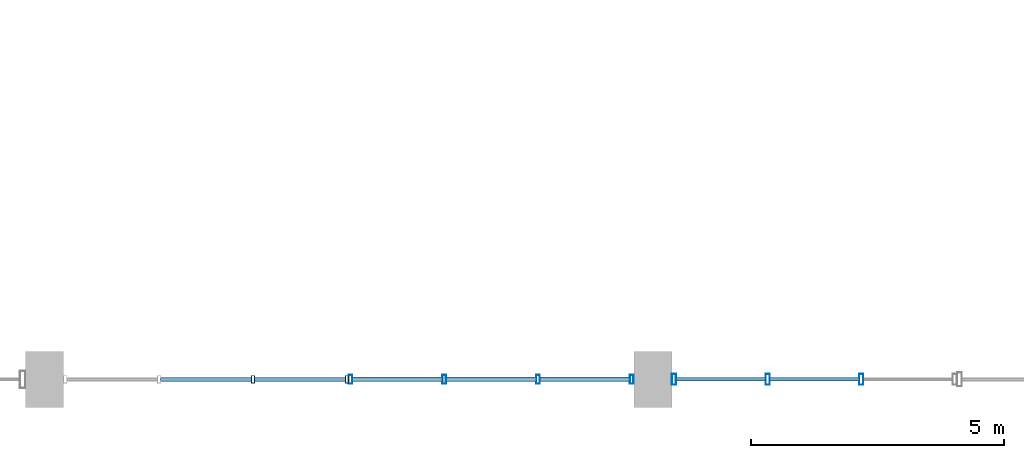
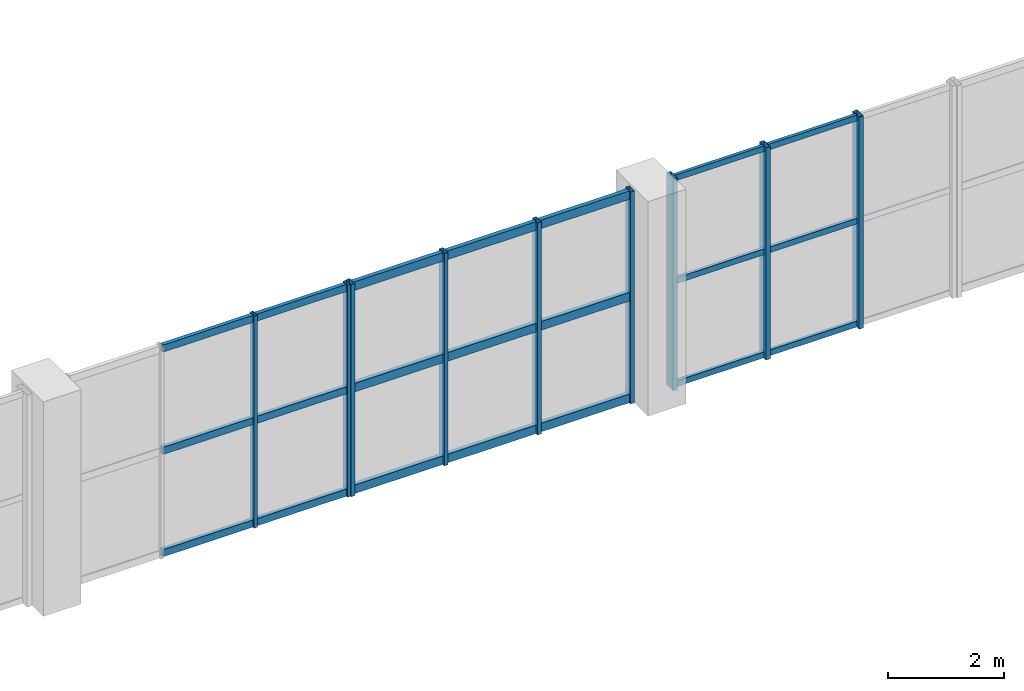
# One storey, part 41 of 80: 30 members, 3 elements without a shape of their own.
"""IFC4 building model written with IfcOpenShell, lengths in metres."""

from ifc_helpers import new_model, si_unit, direction, frame, origin, origin_2d, place, context, subcontext, project, spatial, hollow_rectangle, extrude, material, layer, layer_set, material_profile, profile_set, type_object, element, aggregate, save


model = new_model("IFC4")

# Units and contexts
model_context = context("Model", 3, precision=1e-05, world=origin(), true_north=direction((0.0, 1.0)))
body_context = subcontext(model_context, "Body", "Model", "MODEL_VIEW")
ifc_project = project(units=[si_unit("LENGTHUNIT", "METRE"), si_unit("AREAUNIT", "SQUARE_METRE"), si_unit("VOLUMEUNIT", "CUBIC_METRE"), si_unit("PLANEANGLEUNIT", "RADIAN"), si_unit("MASSUNIT", "GRAM", prefix="KILO"), si_unit("POWERUNIT", "WATT"), si_unit("THERMODYNAMICTEMPERATUREUNIT", "KELVIN")], contexts=[model_context])

# Site, building, storey
site_placement = place(None, origin())
site = spatial("IfcSite", under=ifc_project, at=site_placement, CompositionType="ELEMENT")
building_placement = place(site_placement, origin())
building = spatial("IfcBuilding", under=site, at=building_placement, Name="Kelmbourne Parkland Aquatics Centre", CompositionType="ELEMENT")
storey_placement = place(building_placement, frame((0.0, 0.0, 10.199951171875)))
storey = spatial("IfcBuildingStorey", under=building, at=storey_placement, Name="L02", CompositionType="ELEMENT", Elevation=10.199951171875)

# Curtain wall, members
ifc_material = material(Name="Thermally broken anodised aluminium framing", Category="aluminium")
ifc_layer_1 = layer(ifc_material, 0.179931640625)
ifc_layer_set_1 = layer_set([ifc_layer_1], Name="Thermally broken anodised aluminium framing")
curtain_wall_type_1 = type_object("IfcCurtainWallType", Name="CW-19", PredefinedType="NOTDEFINED", material=ifc_layer_set_1)
curtain_wall_1_placement = place(storey_placement, origin())
curtain_wall_1 = element("IfcCurtainWall", 1, at=curtain_wall_1_placement, inside=storey, type_object=curtain_wall_type_1, Name="Wave-hall clerestory curtain wall CW-L02-115", PredefinedType="NOTDEFINED")
ifc_material_profile_1 = material_profile(ifc_material, hollow_rectangle(XDim=0.06494140625, YDim=0.14990234375, WallThickness=0.00390625, at=origin_2d()), Name="CW-M 65x150")
ifc_profile_set_1 = profile_set([ifc_material_profile_1], Name="Thermally broken anodised aluminium framing")
member_type_1 = type_object("IfcMemberType", Name="MB-MUL-1", PredefinedType="MULLION", material=ifc_profile_set_1)
member_1_placement = place(storey_placement, frame((144.11474609375, 0.800048828125, 0.0), z_axis=(0.0, 0.0, 1.0), x_axis=(1.0, 0.0, 0.0)))
member_1 = element("IfcMember", 2, at=member_1_placement, type_object=member_type_1, Name="CW-L02-115 mullion 2", PredefinedType="MULLION", context=body_context, shape_type="SweptSolid", body=[
    extrude(hollow_rectangle(XDim=0.06494140625, YDim=0.14990234375, WallThickness=0.00390625, at=origin_2d()), origin(), (0.0, 0.0, 1.0), 4.449951171875),
])
member_2_placement = place(storey_placement, frame((145.967529296875, 0.800048828125, 0.0), z_axis=(0.0, 0.0, 1.0), x_axis=(1.0, 0.0, 0.0)))
member_2 = element("IfcMember", 3, at=member_2_placement, type_object=member_type_1, Name="CW-L02-115 mullion 3", PredefinedType="MULLION", context=body_context, shape_type="SweptSolid", body=[
    extrude(hollow_rectangle(XDim=0.06494140625, YDim=0.14990234375, WallThickness=0.00390625, at=origin_2d()), origin(), (0.0, 0.0, 1.0), 4.449951171875),
])

ifc_layer_2 = layer(ifc_material, 0.179931640625)
ifc_layer_set_2 = layer_set([ifc_layer_2], Name="Thermally broken anodised aluminium framing")
curtain_wall_type_2 = type_object("IfcCurtainWallType", Name="CW-20", PredefinedType="NOTDEFINED", material=ifc_layer_set_2)
curtain_wall_2_placement = place(storey_placement, origin())
curtain_wall_2 = element("IfcCurtainWall", 4, at=curtain_wall_2_placement, inside=storey, type_object=curtain_wall_type_2, Name="Wave-hall clerestory curtain wall CW-L02-116", PredefinedType="NOTDEFINED")
ifc_material_profile_2 = material_profile(ifc_material, hollow_rectangle(XDim=0.074951171875, YDim=0.179931640625, WallThickness=0.00439453125, at=origin_2d()), Name="CW-M 75x180")
ifc_profile_set_2 = profile_set([ifc_material_profile_2], Name="Thermally broken anodised aluminium framing")
member_type_2 = type_object("IfcMemberType", Name="MB-MUL-2", PredefinedType="MULLION", material=ifc_profile_set_2)
member_3_placement = place(storey_placement, frame((146.03759765625, 0.800048828125, 0.0), z_axis=(0.0, 0.0, 1.0), x_axis=(1.0, 0.0, 0.0)))
member_3 = element("IfcMember", 5, at=member_3_placement, type_object=member_type_2, Name="CW-L02-116 mullion 0", PredefinedType="MULLION", context=body_context, shape_type="SweptSolid", body=[
    extrude(hollow_rectangle(XDim=0.074951171875, YDim=0.179931640625, WallThickness=0.00439453125, at=origin_2d()), origin(), (0.0, 0.0, 1.0), 4.449951171875),
])
member_4_placement = place(storey_placement, frame((147.88671875, 0.800048828125, 0.0), z_axis=(0.0, 0.0, 1.0), x_axis=(1.0, 0.0, 0.0)))
member_4 = element("IfcMember", 6, at=member_4_placement, type_object=member_type_2, Name="CW-L02-116 mullion 1", PredefinedType="MULLION", context=body_context, shape_type="SweptSolid", body=[
    extrude(hollow_rectangle(XDim=0.074951171875, YDim=0.179931640625, WallThickness=0.00439453125, at=origin_2d()), origin(), (0.0, 0.0, 1.0), 4.449951171875),
])
member_5_placement = place(storey_placement, frame((149.736083984375, 0.800048828125, 0.0), z_axis=(0.0, 0.0, 1.0), x_axis=(1.0, 0.0, 0.0)))
member_5 = element("IfcMember", 7, at=member_5_placement, type_object=member_type_2, Name="CW-L02-116 mullion 2", PredefinedType="MULLION", context=body_context, shape_type="SweptSolid", body=[
    extrude(hollow_rectangle(XDim=0.074951171875, YDim=0.179931640625, WallThickness=0.00439453125, at=origin_2d()), origin(), (0.0, 0.0, 1.0), 4.449951171875),
])
member_6_placement = place(storey_placement, frame((151.58544921875, 0.800048828125, 0.0), z_axis=(0.0, 0.0, 1.0), x_axis=(1.0, 0.0, 0.0)))
member_6 = element("IfcMember", 8, at=member_6_placement, type_object=member_type_2, Name="CW-L02-116 mullion 3", PredefinedType="MULLION", context=body_context, shape_type="SweptSolid", body=[
    extrude(hollow_rectangle(XDim=0.074951171875, YDim=0.179931640625, WallThickness=0.00439453125, at=origin_2d()), origin(), (0.0, 0.0, 1.0), 4.449951171875),
])

ifc_layer_3 = layer(ifc_material, 0.179931640625)
ifc_layer_set_3 = layer_set([ifc_layer_3], Name="Thermally broken anodised aluminium framing")
curtain_wall_type_3 = type_object("IfcCurtainWallType", Name="CW-21", PredefinedType="NOTDEFINED", material=ifc_layer_set_3)
curtain_wall_3_placement = place(storey_placement, origin())
curtain_wall_3 = element("IfcCurtainWall", 9, at=curtain_wall_3_placement, inside=storey, type_object=curtain_wall_type_3, Name="Wave-hall clerestory curtain wall CW-L02-117", PredefinedType="NOTDEFINED")
ifc_material_profile_3 = material_profile(ifc_material, hollow_rectangle(XDim=0.0849609375, YDim=0.219970703125, WallThickness=0.0048828125, at=origin_2d()), Name="CW-M 85x220")
ifc_profile_set_3 = profile_set([ifc_material_profile_3], Name="Thermally broken anodised aluminium framing")
member_type_3 = type_object("IfcMemberType", Name="MB-MUL-3", PredefinedType="MULLION", material=ifc_profile_set_3)
member_7_placement = place(storey_placement, frame((152.41943359375, 0.800048828125, 0.0), z_axis=(0.0, 0.0, 1.0), x_axis=(1.0, 0.0, 0.0)))
member_7 = element("IfcMember", 10, at=member_7_placement, type_object=member_type_3, Name="CW-L02-117 mullion 0", PredefinedType="MULLION", context=body_context, shape_type="SweptSolid", body=[
    extrude(hollow_rectangle(XDim=0.0849609375, YDim=0.219970703125, WallThickness=0.0048828125, at=origin_2d()), origin(), (0.0, 0.0, 1.0), 4.449951171875),
])
member_8_placement = place(storey_placement, frame((154.265380859375, 0.800048828125, 0.0), z_axis=(0.0, 0.0, 1.0), x_axis=(1.0, 0.0, 0.0)))
member_8 = element("IfcMember", 11, at=member_8_placement, type_object=member_type_3, Name="CW-L02-117 mullion 1", PredefinedType="MULLION", context=body_context, shape_type="SweptSolid", body=[
    extrude(hollow_rectangle(XDim=0.0849609375, YDim=0.219970703125, WallThickness=0.0048828125, at=origin_2d()), origin(), (0.0, 0.0, 1.0), 4.449951171875),
])
member_9_placement = place(storey_placement, frame((156.111572265625, 0.800048828125, 0.0), z_axis=(0.0, 0.0, 1.0), x_axis=(1.0, 0.0, 0.0)))
member_9 = element("IfcMember", 12, at=member_9_placement, type_object=member_type_3, Name="CW-L02-117 mullion 2", PredefinedType="MULLION", context=body_context, shape_type="SweptSolid", body=[
    extrude(hollow_rectangle(XDim=0.0849609375, YDim=0.219970703125, WallThickness=0.0048828125, at=origin_2d()), origin(), (0.0, 0.0, 1.0), 4.449951171875),
])
ifc_material_profile_4 = material_profile(ifc_material, hollow_rectangle(XDim=0.06494140625, YDim=0.1201171875, WallThickness=0.00341796875, at=origin_2d()), Name="CW-T 65x120")
ifc_profile_set_4 = profile_set([ifc_material_profile_4], Name="Thermally broken anodised aluminium framing")
member_type_4 = type_object("IfcMemberType", Name="MB-TRN-1", PredefinedType="USERDEFINED", material=ifc_profile_set_4)
member_10_placement = place(storey_placement, frame((152.4580078125, 0.800048828125, 0.06298828125), z_axis=(1.0, 0.0, 0.0), x_axis=(0.0, 1.0, 0.0)))
member_10 = element("IfcMember", 13, at=member_10_placement, type_object=member_type_4, Name="CW-L02-117 transom 0-0", ObjectType="TRANSOM", PredefinedType="USERDEFINED", context=body_context, shape_type="SweptSolid", body=[
    extrude(hollow_rectangle(XDim=0.06494140625, YDim=0.1201171875, WallThickness=0.00341796875, at=origin_2d()), origin(), (0.0, 0.0, 1.0), 1.76904296875),
])
member_11_placement = place(storey_placement, frame((154.303955078125, 0.800048828125, 0.06298828125), z_axis=(1.0, 0.0, 0.0), x_axis=(0.0, 1.0, 0.0)))
member_11 = element("IfcMember", 14, at=member_11_placement, type_object=member_type_4, Name="CW-L02-117 transom 0-1", ObjectType="TRANSOM", PredefinedType="USERDEFINED", context=body_context, shape_type="SweptSolid", body=[
    extrude(hollow_rectangle(XDim=0.06494140625, YDim=0.1201171875, WallThickness=0.00341796875, at=origin_2d()), origin(), (0.0, 0.0, 1.0), 1.76904296875),
])
member_12_placement = place(storey_placement, frame((152.4580078125, 0.800048828125, 2.22509765625), z_axis=(1.0, 0.0, 0.0), x_axis=(0.0, 1.0, 0.0)))
member_12 = element("IfcMember", 15, at=member_12_placement, type_object=member_type_4, Name="CW-L02-117 transom 1-0", ObjectType="TRANSOM", PredefinedType="USERDEFINED", context=body_context, shape_type="SweptSolid", body=[
    extrude(hollow_rectangle(XDim=0.06494140625, YDim=0.1201171875, WallThickness=0.00341796875, at=origin_2d()), origin(), (0.0, 0.0, 1.0), 1.76904296875),
])
member_13_placement = place(storey_placement, frame((154.303955078125, 0.800048828125, 2.22509765625), z_axis=(1.0, 0.0, 0.0), x_axis=(0.0, 1.0, 0.0)))
member_13 = element("IfcMember", 16, at=member_13_placement, type_object=member_type_4, Name="CW-L02-117 transom 1-1", ObjectType="TRANSOM", PredefinedType="USERDEFINED", context=body_context, shape_type="SweptSolid", body=[
    extrude(hollow_rectangle(XDim=0.06494140625, YDim=0.1201171875, WallThickness=0.00341796875, at=origin_2d()), origin(), (0.0, 0.0, 1.0), 1.76904296875),
])
member_14_placement = place(storey_placement, frame((152.4580078125, 0.800048828125, 4.386962890625), z_axis=(1.0, 0.0, 0.0), x_axis=(0.0, 1.0, 0.0)))
member_14 = element("IfcMember", 17, at=member_14_placement, type_object=member_type_4, Name="CW-L02-117 transom 2-0", ObjectType="TRANSOM", PredefinedType="USERDEFINED", context=body_context, shape_type="SweptSolid", body=[
    extrude(hollow_rectangle(XDim=0.06494140625, YDim=0.1201171875, WallThickness=0.00341796875, at=origin_2d()), origin(), (0.0, 0.0, 1.0), 1.76904296875),
])
member_15_placement = place(storey_placement, frame((154.303955078125, 0.800048828125, 4.386962890625), z_axis=(1.0, 0.0, 0.0), x_axis=(0.0, 1.0, 0.0)))
member_15 = element("IfcMember", 18, at=member_15_placement, type_object=member_type_4, Name="CW-L02-117 transom 2-1", ObjectType="TRANSOM", PredefinedType="USERDEFINED", context=body_context, shape_type="SweptSolid", body=[
    extrude(hollow_rectangle(XDim=0.06494140625, YDim=0.1201171875, WallThickness=0.00341796875, at=origin_2d()), origin(), (0.0, 0.0, 1.0), 1.76904296875),
])
aggregate(curtain_wall_3, [member_7, member_8, member_9, member_10, member_11, member_12, member_13, member_14, member_15])

# Member
ifc_material_profile_5 = material_profile(ifc_material, hollow_rectangle(XDim=0.074951171875, YDim=0.14990234375, WallThickness=0.00390625, at=origin_2d()), Name="CW-T 75x150")
ifc_profile_set_5 = profile_set([ifc_material_profile_5], Name="Thermally broken anodised aluminium framing")
member_type_5 = type_object("IfcMemberType", Name="MB-TRN-2", PredefinedType="USERDEFINED", material=ifc_profile_set_5)
member_16_placement = place(storey_placement, frame((142.290771484375, 0.800048828125, 0.078125), z_axis=(1.0, 0.0, 0.0), x_axis=(0.0, 1.0, 0.0)))
member_16 = element("IfcMember", 19, at=member_16_placement, type_object=member_type_5, Name="CW-L02-115 transom 0-1", ObjectType="TRANSOM", PredefinedType="USERDEFINED", context=body_context, shape_type="SweptSolid", body=[
    extrude(hollow_rectangle(XDim=0.074951171875, YDim=0.14990234375, WallThickness=0.00390625, at=origin_2d()), origin(), (0.0, 0.0, 1.0), 1.79541015625),
])

member_17_placement = place(storey_placement, frame((144.143310546875, 0.800048828125, 0.078125), z_axis=(1.0, 0.0, 0.0), x_axis=(0.0, 1.0, 0.0)))
member_17 = element("IfcMember", 20, at=member_17_placement, type_object=member_type_5, Name="CW-L02-115 transom 0-2", ObjectType="TRANSOM", PredefinedType="USERDEFINED", context=body_context, shape_type="SweptSolid", body=[
    extrude(hollow_rectangle(XDim=0.074951171875, YDim=0.14990234375, WallThickness=0.00390625, at=origin_2d()), origin(), (0.0, 0.0, 1.0), 1.795654296875),
])

member_18_placement = place(storey_placement, frame((142.290771484375, 0.800048828125, 2.22509765625), z_axis=(1.0, 0.0, 0.0), x_axis=(0.0, 1.0, 0.0)))
member_18 = element("IfcMember", 21, at=member_18_placement, type_object=member_type_5, Name="CW-L02-115 transom 1-1", ObjectType="TRANSOM", PredefinedType="USERDEFINED", context=body_context, shape_type="SweptSolid", body=[
    extrude(hollow_rectangle(XDim=0.074951171875, YDim=0.14990234375, WallThickness=0.00390625, at=origin_2d()), origin(), (0.0, 0.0, 1.0), 1.79541015625),
])

member_19_placement = place(storey_placement, frame((144.143310546875, 0.800048828125, 2.22509765625), z_axis=(1.0, 0.0, 0.0), x_axis=(0.0, 1.0, 0.0)))
member_19 = element("IfcMember", 22, at=member_19_placement, type_object=member_type_5, Name="CW-L02-115 transom 1-2", ObjectType="TRANSOM", PredefinedType="USERDEFINED", context=body_context, shape_type="SweptSolid", body=[
    extrude(hollow_rectangle(XDim=0.074951171875, YDim=0.14990234375, WallThickness=0.00390625, at=origin_2d()), origin(), (0.0, 0.0, 1.0), 1.795654296875),
])

member_20_placement = place(storey_placement, frame((142.290771484375, 0.800048828125, 4.3720703125), z_axis=(1.0, 0.0, 0.0), x_axis=(0.0, 1.0, 0.0)))
member_20 = element("IfcMember", 23, at=member_20_placement, type_object=member_type_5, Name="CW-L02-115 transom 2-1", ObjectType="TRANSOM", PredefinedType="USERDEFINED", context=body_context, shape_type="SweptSolid", body=[
    extrude(hollow_rectangle(XDim=0.074951171875, YDim=0.14990234375, WallThickness=0.00390625, at=origin_2d()), origin(), (0.0, 0.0, 1.0), 1.79541015625),
])

member_21_placement = place(storey_placement, frame((144.143310546875, 0.800048828125, 4.3720703125), z_axis=(1.0, 0.0, 0.0), x_axis=(0.0, 1.0, 0.0)))
member_21 = element("IfcMember", 24, at=member_21_placement, type_object=member_type_5, Name="CW-L02-115 transom 2-2", ObjectType="TRANSOM", PredefinedType="USERDEFINED", context=body_context, shape_type="SweptSolid", body=[
    extrude(hollow_rectangle(XDim=0.074951171875, YDim=0.14990234375, WallThickness=0.00390625, at=origin_2d()), origin(), (0.0, 0.0, 1.0), 1.795654296875),
])

aggregate(curtain_wall_1, [member_1, member_2, member_16, member_17, member_18, member_19, member_20, member_21])

ifc_material_profile_6 = material_profile(ifc_material, hollow_rectangle(XDim=0.0849609375, YDim=0.179931640625, WallThickness=0.00439453125, at=origin_2d()), Name="CW-T 85x180")
ifc_profile_set_6 = profile_set([ifc_material_profile_6], Name="Thermally broken anodised aluminium framing")
member_type_6 = type_object("IfcMemberType", Name="MB-TRN-3", PredefinedType="USERDEFINED", material=ifc_profile_set_6)
member_22_placement = place(storey_placement, frame((146.071044921875, 0.800048828125, 0.093017578125), z_axis=(1.0, 0.0, 0.0), x_axis=(0.0, 1.0, 0.0)))
member_22 = element("IfcMember", 25, at=member_22_placement, type_object=member_type_6, Name="CW-L02-116 transom 0-0", ObjectType="TRANSOM", PredefinedType="USERDEFINED", context=body_context, shape_type="SweptSolid", body=[
    extrude(hollow_rectangle(XDim=0.0849609375, YDim=0.179931640625, WallThickness=0.00439453125, at=origin_2d()), origin(), (0.0, 0.0, 1.0), 1.7822265625),
])

member_23_placement = place(storey_placement, frame((147.92041015625, 0.800048828125, 0.093017578125), z_axis=(1.0, 0.0, 0.0), x_axis=(0.0, 1.0, 0.0)))
member_23 = element("IfcMember", 26, at=member_23_placement, type_object=member_type_6, Name="CW-L02-116 transom 0-1", ObjectType="TRANSOM", PredefinedType="USERDEFINED", context=body_context, shape_type="SweptSolid", body=[
    extrude(hollow_rectangle(XDim=0.0849609375, YDim=0.179931640625, WallThickness=0.00439453125, at=origin_2d()), origin(), (0.0, 0.0, 1.0), 1.7822265625),
])

member_24_placement = place(storey_placement, frame((149.769775390625, 0.800048828125, 0.093017578125), z_axis=(1.0, 0.0, 0.0), x_axis=(0.0, 1.0, 0.0)))
member_24 = element("IfcMember", 27, at=member_24_placement, type_object=member_type_6, Name="CW-L02-116 transom 0-2", ObjectType="TRANSOM", PredefinedType="USERDEFINED", context=body_context, shape_type="SweptSolid", body=[
    extrude(hollow_rectangle(XDim=0.0849609375, YDim=0.179931640625, WallThickness=0.00439453125, at=origin_2d()), origin(), (0.0, 0.0, 1.0), 1.7822265625),
])

member_25_placement = place(storey_placement, frame((146.071044921875, 0.800048828125, 2.22509765625), z_axis=(1.0, 0.0, 0.0), x_axis=(0.0, 1.0, 0.0)))
member_25 = element("IfcMember", 28, at=member_25_placement, type_object=member_type_6, Name="CW-L02-116 transom 1-0", ObjectType="TRANSOM", PredefinedType="USERDEFINED", context=body_context, shape_type="SweptSolid", body=[
    extrude(hollow_rectangle(XDim=0.0849609375, YDim=0.179931640625, WallThickness=0.00439453125, at=origin_2d()), origin(), (0.0, 0.0, 1.0), 1.7822265625),
])

member_26_placement = place(storey_placement, frame((147.92041015625, 0.800048828125, 2.22509765625), z_axis=(1.0, 0.0, 0.0), x_axis=(0.0, 1.0, 0.0)))
member_26 = element("IfcMember", 29, at=member_26_placement, type_object=member_type_6, Name="CW-L02-116 transom 1-1", ObjectType="TRANSOM", PredefinedType="USERDEFINED", context=body_context, shape_type="SweptSolid", body=[
    extrude(hollow_rectangle(XDim=0.0849609375, YDim=0.179931640625, WallThickness=0.00439453125, at=origin_2d()), origin(), (0.0, 0.0, 1.0), 1.7822265625),
])

member_27_placement = place(storey_placement, frame((149.769775390625, 0.800048828125, 2.22509765625), z_axis=(1.0, 0.0, 0.0), x_axis=(0.0, 1.0, 0.0)))
member_27 = element("IfcMember", 30, at=member_27_placement, type_object=member_type_6, Name="CW-L02-116 transom 1-2", ObjectType="TRANSOM", PredefinedType="USERDEFINED", context=body_context, shape_type="SweptSolid", body=[
    extrude(hollow_rectangle(XDim=0.0849609375, YDim=0.179931640625, WallThickness=0.00439453125, at=origin_2d()), origin(), (0.0, 0.0, 1.0), 1.7822265625),
])

member_28_placement = place(storey_placement, frame((146.071044921875, 0.800048828125, 4.35693359375), z_axis=(1.0, 0.0, 0.0), x_axis=(0.0, 1.0, 0.0)))
member_28 = element("IfcMember", 31, at=member_28_placement, type_object=member_type_6, Name="CW-L02-116 transom 2-0", ObjectType="TRANSOM", PredefinedType="USERDEFINED", context=body_context, shape_type="SweptSolid", body=[
    extrude(hollow_rectangle(XDim=0.0849609375, YDim=0.179931640625, WallThickness=0.00439453125, at=origin_2d()), origin(), (0.0, 0.0, 1.0), 1.7822265625),
])

member_29_placement = place(storey_placement, frame((147.92041015625, 0.800048828125, 4.35693359375), z_axis=(1.0, 0.0, 0.0), x_axis=(0.0, 1.0, 0.0)))
member_29 = element("IfcMember", 32, at=member_29_placement, type_object=member_type_6, Name="CW-L02-116 transom 2-1", ObjectType="TRANSOM", PredefinedType="USERDEFINED", context=body_context, shape_type="SweptSolid", body=[
    extrude(hollow_rectangle(XDim=0.0849609375, YDim=0.179931640625, WallThickness=0.00439453125, at=origin_2d()), origin(), (0.0, 0.0, 1.0), 1.7822265625),
])

member_30_placement = place(storey_placement, frame((149.769775390625, 0.800048828125, 4.35693359375), z_axis=(1.0, 0.0, 0.0), x_axis=(0.0, 1.0, 0.0)))
member_30 = element("IfcMember", 33, at=member_30_placement, type_object=member_type_6, Name="CW-L02-116 transom 2-2", ObjectType="TRANSOM", PredefinedType="USERDEFINED", context=body_context, shape_type="SweptSolid", body=[
    extrude(hollow_rectangle(XDim=0.0849609375, YDim=0.179931640625, WallThickness=0.00439453125, at=origin_2d()), origin(), (0.0, 0.0, 1.0), 1.7822265625),
])

aggregate(curtain_wall_2, [member_3, member_4, member_5, member_6, member_22, member_23, member_24, member_25, member_26, member_27, member_28, member_29, member_30])

save(model, "model.ifc")
